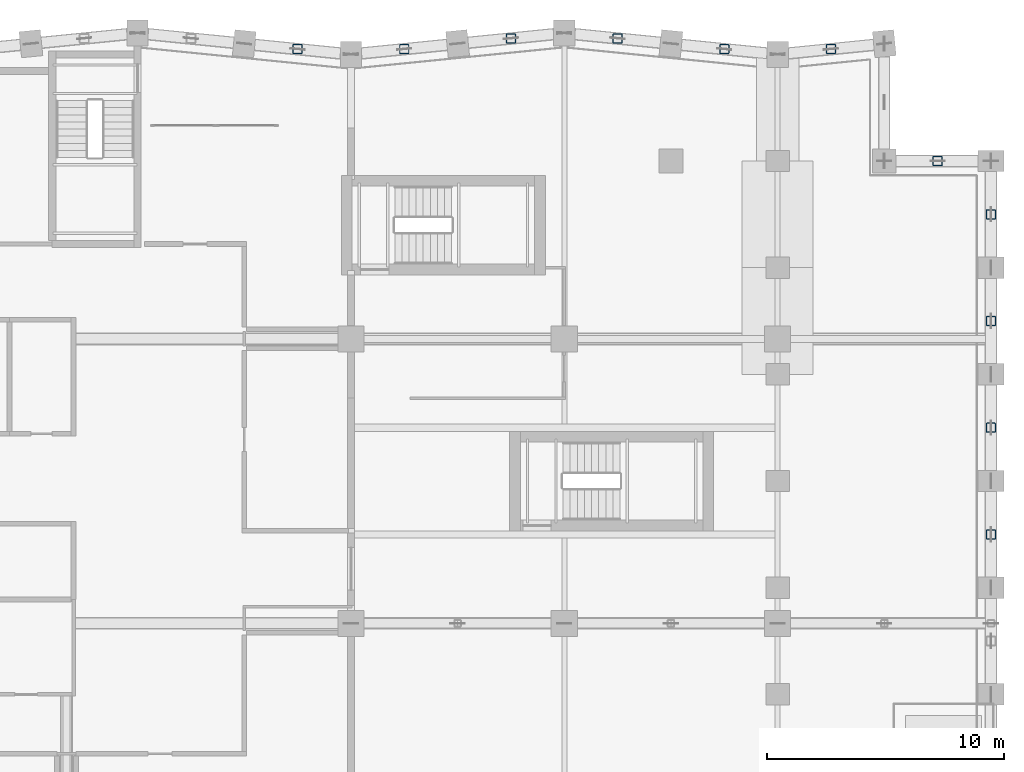
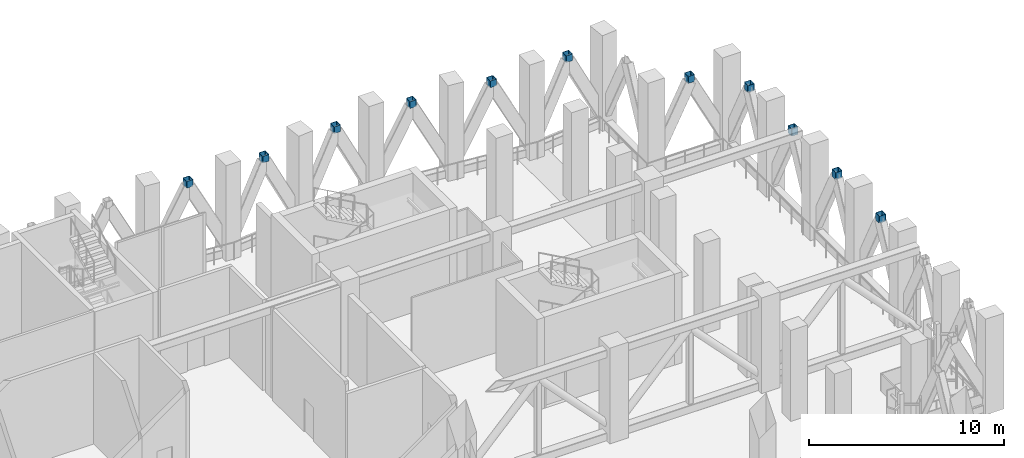
# One storey, part 13 of 28: 11 members.
"""IFC4 building model written with IfcOpenShell, lengths in metres."""

from ifc_helpers import new_model, si_unit, direction, frame, origin, origin_2d, place, context, subcontext, project, spatial, hollow_rectangle, extrude, material, material_profile, profile_set, type_object, element, save


model = new_model("IFC4")

# Units and contexts
model_context = context("Model", 3, precision=1e-05, world=origin(), true_north=direction((0.0, 1.0)))
body_context = subcontext(model_context, "Body", "Model", "MODEL_VIEW")
ifc_project = project(units=[si_unit("LENGTHUNIT", "METRE"), si_unit("AREAUNIT", "SQUARE_METRE"), si_unit("VOLUMEUNIT", "CUBIC_METRE"), si_unit("PLANEANGLEUNIT", "RADIAN"), si_unit("MASSUNIT", "GRAM", prefix="KILO")], contexts=[model_context])

# Site, building, storey
site_placement = place(None, origin())
site = spatial("IfcSite", under=ifc_project, at=site_placement, CompositionType="ELEMENT")
building_placement = place(site_placement, origin())
building = spatial("IfcBuilding", under=site, at=building_placement, Name="Brondeck Convention Tower", CompositionType="ELEMENT")
storey_placement = place(building_placement, frame((0.0, 0.0, 192.800048828125)))
storey = spatial("IfcBuildingStorey", under=building, at=storey_placement, Name="L47", CompositionType="ELEMENT", Elevation=192.800048828125)

# Members
ifc_material = material(Name="Steel S460", Category="steel")
ifc_material_profile = material_profile(ifc_material, hollow_rectangle(XDim=0.39990234375, YDim=0.39990234375, WallThickness=0.02001953125, InnerFilletRadius=0.02001953125, OuterFilletRadius=0.0400390625, at=origin_2d()), Name="RHS 400x400x20")
ifc_profile_set = profile_set([ifc_material_profile], Name="Steel S460")
member_type = type_object("IfcMemberType", Name="Chevron strut RHS 400x400x20", PredefinedType="STRUT", material=ifc_profile_set)
for number, where, z_axis, x_axis, name in (
    (1, (63.0, 42.75, 4.915771484375), (0.0, 0.0, 1.0), (1.0, 0.0, 0.0), "Belt truss BT-47-21 post"),
    (2, (63.0, 47.25, 4.915771484375), (0.0, 0.0, 1.0), (1.0, 0.0, 0.0), "Belt truss BT-47-22 post"),
    (3, (63.0, 51.75, 4.915771484375), (0.0, 0.0, 1.0), (1.0, 0.0, 0.0), "Belt truss BT-47-23 post"),
    (4, (63.0, 56.25, 4.915771484375), (0.0, 0.0, 1.0), (1.0, 0.0, 0.0), "Belt truss BT-47-24 post"),
    (5, (60.75, 58.5, 4.915771484375), (0.0, 0.0, 1.0), (1.0, 0.0, 0.0), "Belt truss BT-47-25 post"),
):
    element("IfcMember", number, at=place(storey_placement, frame(where, z_axis=z_axis, x_axis=x_axis)), inside=storey, type_object=member_type, Name=name, PredefinedType="STRUT", context=body_context, shape_type="SweptSolid", body=[
        extrude(hollow_rectangle(XDim=0.39990234375, YDim=0.39990234375, WallThickness=0.02001953125, InnerFilletRadius=0.02001953125, OuterFilletRadius=0.0400390625, at=origin_2d()), origin(), (0.0, 0.0, 1.0), 0.43408203125),
    ])
for number, where, z_axis, x_axis, name in (
    (6, (56.25, 63.22509765625, 4.937744140625), (0.0, 0.0, 1.0), (1.0, 0.0, 0.0), "Belt truss BT-47-27 post"),
    (7, (51.75, 63.22509765625, 4.937744140625), (0.0, 0.0, 1.0), (1.0, 0.0, 0.0), "Belt truss BT-47-28 post"),
    (8, (47.25, 63.675048828125, 4.937744140625), (0.0, 0.0, 1.0), (1.0, 0.0, 0.0), "Belt truss BT-47-29 post"),
    (9, (42.75, 63.675048828125, 4.937744140625), (0.0, 0.0, 1.0), (1.0, 0.0, 0.0), "Belt truss BT-47-30 post"),
    (10, (38.25, 63.22509765625, 4.937744140625), (0.0, 0.0, 1.0), (1.0, 0.0, 0.0), "Belt truss BT-47-31 post"),
    (11, (33.75, 63.22509765625, 4.937744140625), (0.0, 0.0, 1.0), (1.0, 0.0, 0.0), "Belt truss BT-47-32 post"),
):
    element("IfcMember", number, at=place(storey_placement, frame(where, z_axis=z_axis, x_axis=x_axis)), inside=storey, type_object=member_type, Name=name, PredefinedType="STRUT", context=body_context, shape_type="SweptSolid", body=[
        extrude(hollow_rectangle(XDim=0.39990234375, YDim=0.39990234375, WallThickness=0.02001953125, InnerFilletRadius=0.02001953125, OuterFilletRadius=0.0400390625, at=origin_2d()), origin(), (0.0, 0.0, 1.0), 0.412109375),
    ])

save(model, "model.ifc")
